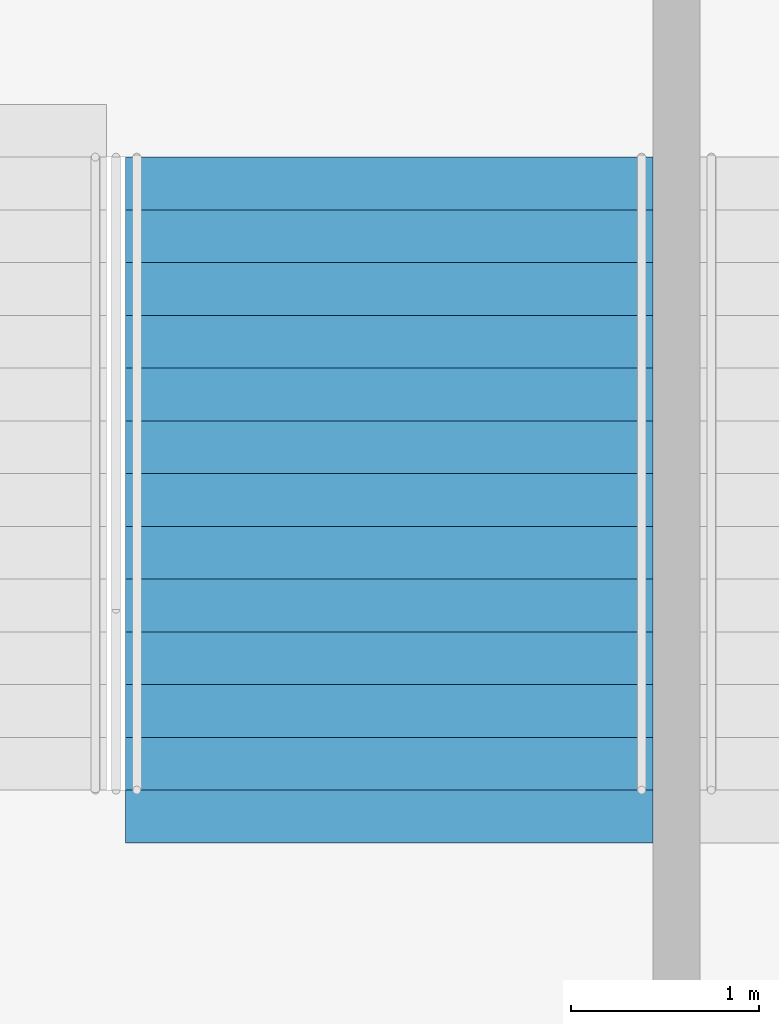
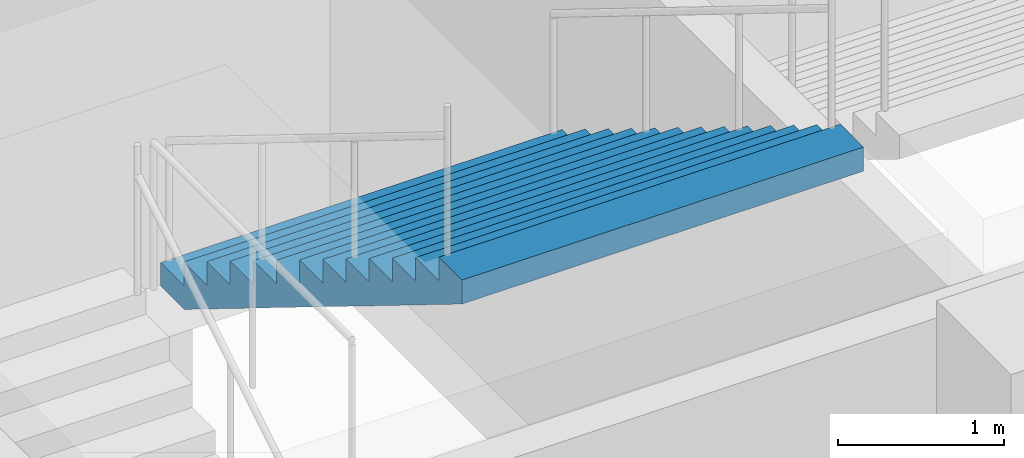
# One storey, part 129 of 175: 1 stair flight, 1 element without a shape of its own.
"""IFC4 building model written with IfcOpenShell, lengths in metres."""

from ifc_helpers import new_model, si_unit, direction, frame, origin, place, context, subcontext, project, spatial, faceted_brep, material, type_object, element, aggregate, save


model = new_model("IFC4")

# Units and contexts
model_context = context("Model", 3, precision=1e-05, world=origin(), true_north=direction((0.0, 1.0)))
body_context = subcontext(model_context, "Body", "Model", "MODEL_VIEW")
ifc_project = project(units=[si_unit("LENGTHUNIT", "METRE"), si_unit("AREAUNIT", "SQUARE_METRE"), si_unit("VOLUMEUNIT", "CUBIC_METRE"), si_unit("PLANEANGLEUNIT", "RADIAN"), si_unit("MASSUNIT", "GRAM", prefix="KILO")], contexts=[model_context])

# Site, building, storey
site_placement = place(None, origin())
site = spatial("IfcSite", under=ifc_project, at=site_placement, CompositionType="ELEMENT")
building_placement = place(site_placement, origin())
building = spatial("IfcBuilding", under=site, at=building_placement, Name="Ogive Plaza Stadium", CompositionType="ELEMENT")
storey_placement = place(building_placement, origin())
storey = spatial("IfcBuildingStorey", under=building, at=storey_placement, Name="L00", CompositionType="ELEMENT", Elevation=0.0)

# Stair, stair flight
ifc_material_1 = material(Name="Concrete C40/50", Category="concrete")
stair_type = type_object("IfcStairType", Name="Exit stair", PredefinedType="STRAIGHT_RUN_STAIR", material=ifc_material_1)
stair_placement = place(storey_placement, origin())
stair = element("IfcStair", 1, at=stair_placement, inside=storey, type_object=stair_type, Name="Exit stair ST32B L00 to L01", PredefinedType="STRAIGHT_RUN_STAIR")
ifc_material_2 = material(Name="Concrete C40/50", Category="concrete")
stair_flight_type = type_object("IfcStairFlightType", Name="Exit stair flight", PredefinedType="STRAIGHT", material=ifc_material_2)
stair_flight_placement = place(storey_placement, frame((-35.52490234375, 98.2099609375, 2.25), z_axis=(0.0, 0.0, 1.0), x_axis=(0.0, -1.0, 0.0)))
stair_flight = element("IfcStairFlight", 2, at=stair_flight_placement, type_object=stair_flight_type, Name="ST32B flight 2", NumberOfRisers=13, NumberOfTreads=12, PredefinedType="STRAIGHT", RiserHeight=0.173076923, TreadLength=0.28, context=body_context, shape_type="Brep", body=[
    faceted_brep([(0.28515625, -1.39990234375, 0.0), (3.639892578125, -1.39990234375, 2.07373046875), (3.639892578125, -1.39990234375, 2.25), (3.360107421875, -1.39990234375, 2.25), (3.360107421875, -1.39990234375, 2.076904296875), (3.080078125, -1.39990234375, 2.076904296875), (3.080078125, -1.39990234375, 1.90380859375), (2.800048828125, -1.39990234375, 1.90380859375), (2.800048828125, -1.39990234375, 1.730712890625), (2.52001953125, -1.39990234375, 1.730712890625), (2.52001953125, -1.39990234375, 1.5576171875), (2.239990234375, -1.39990234375, 1.5576171875), (2.239990234375, -1.39990234375, 1.384521484375), (1.9599609375, -1.39990234375, 1.384521484375), (1.9599609375, -1.39990234375, 1.21142578125), (1.679931640625, -1.39990234375, 1.21142578125), (1.679931640625, -1.39990234375, 1.03857421875), (1.39990234375, -1.39990234375, 1.03857421875), (1.39990234375, -1.39990234375, 0.865478515625), (1.1201171875, -1.39990234375, 0.865478515625), (1.1201171875, -1.39990234375, 0.6923828125), (0.840087890625, -1.39990234375, 0.6923828125), (0.840087890625, -1.39990234375, 0.519287109375), (0.56005859375, -1.39990234375, 0.519287109375), (0.56005859375, -1.39990234375, 0.34619140625), (0.280029296875, -1.39990234375, 0.34619140625), (0.280029296875, -1.39990234375, 0.173095703125), (0.0, -1.39990234375, 0.173095703125), (0.0, -1.39990234375, 0.0), (0.0, 1.39990234375, 0.0), (0.0, 1.39990234375, 0.173095703125), (0.280029296875, 1.39990234375, 0.173095703125), (0.280029296875, 1.39990234375, 0.34619140625), (0.56005859375, 1.39990234375, 0.34619140625), (0.56005859375, 1.39990234375, 0.519287109375), (0.840087890625, 1.39990234375, 0.519287109375), (0.840087890625, 1.39990234375, 0.6923828125), (1.1201171875, 1.39990234375, 0.6923828125), (1.1201171875, 1.39990234375, 0.865478515625), (1.39990234375, 1.39990234375, 0.865478515625), (1.39990234375, 1.39990234375, 1.03857421875), (1.679931640625, 1.39990234375, 1.03857421875), (1.679931640625, 1.39990234375, 1.21142578125), (1.9599609375, 1.39990234375, 1.21142578125), (1.9599609375, 1.39990234375, 1.384521484375), (2.239990234375, 1.39990234375, 1.384521484375), (2.239990234375, 1.39990234375, 1.5576171875), (2.52001953125, 1.39990234375, 1.5576171875), (2.52001953125, 1.39990234375, 1.730712890625), (2.800048828125, 1.39990234375, 1.730712890625), (2.800048828125, 1.39990234375, 1.90380859375), (3.080078125, 1.39990234375, 1.90380859375), (3.080078125, 1.39990234375, 2.076904296875), (3.360107421875, 1.39990234375, 2.076904296875), (3.360107421875, 1.39990234375, 2.25), (3.639892578125, 1.39990234375, 2.25), (3.639892578125, 1.39990234375, 2.07373046875), (0.28515625, 1.39990234375, 0.0), (0.28515625, -1.0888671875, 0.0), (3.639892578125, -1.0888671875, 2.07373046875), (0.28515625, -0.77783203125, 0.0), (3.639892578125, -0.77783203125, 2.07373046875), (0.28515625, -0.466796875, 0.0), (3.639892578125, -0.466796875, 2.07373046875), (0.28515625, -0.155517578125, 0.0), (3.639892578125, -0.155517578125, 2.07373046875), (0.28515625, 0.155517578125, 0.0), (3.639892578125, 0.155517578125, 2.07373046875), (0.28515625, 0.466796875, 0.0), (3.639892578125, 0.466796875, 2.07373046875), (0.28515625, 0.77783203125, 0.0), (3.639892578125, 0.77783203125, 2.07373046875), (0.28515625, 1.0888671875, 0.0), (3.639892578125, 1.0888671875, 2.07373046875), (3.639892578125, -1.0888671875, 2.25), (3.639892578125, -0.77783203125, 2.25), (3.639892578125, -0.466796875, 2.25), (3.639892578125, -0.155517578125, 2.25), (3.639892578125, 0.155517578125, 2.25), (3.639892578125, 0.466796875, 2.25), (3.639892578125, 0.77783203125, 2.25), (3.639892578125, 1.0888671875, 2.25), (3.360107421875, -1.0888671875, 2.25), (3.360107421875, -0.77783203125, 2.25), (3.360107421875, -0.466796875, 2.25), (3.360107421875, -0.155517578125, 2.25), (3.360107421875, 0.155517578125, 2.25), (3.360107421875, 0.466796875, 2.25), (3.360107421875, 0.77783203125, 2.25), (3.360107421875, 1.0888671875, 2.25), (3.360107421875, -1.0888671875, 2.076904296875), (3.360107421875, -0.77783203125, 2.076904296875), (3.360107421875, -0.466796875, 2.076904296875), (3.360107421875, -0.155517578125, 2.076904296875), (3.360107421875, 0.155517578125, 2.076904296875), (3.360107421875, 0.466796875, 2.076904296875), (3.360107421875, 0.77783203125, 2.076904296875), (3.360107421875, 1.0888671875, 2.076904296875), (3.080078125, -1.0888671875, 2.076904296875), (3.080078125, -0.77783203125, 2.076904296875), (3.080078125, -0.466796875, 2.076904296875), (3.080078125, -0.155517578125, 2.076904296875), (3.080078125, 0.155517578125, 2.076904296875), (3.080078125, 0.466796875, 2.076904296875), (3.080078125, 0.77783203125, 2.076904296875), (3.080078125, 1.0888671875, 2.076904296875), (3.080078125, -1.0888671875, 1.90380859375), (3.080078125, -0.77783203125, 1.90380859375), (3.080078125, -0.466796875, 1.90380859375), (3.080078125, -0.155517578125, 1.90380859375), (3.080078125, 0.155517578125, 1.90380859375), (3.080078125, 0.466796875, 1.90380859375), (3.080078125, 0.77783203125, 1.90380859375), (3.080078125, 1.0888671875, 1.90380859375), (2.800048828125, -1.0888671875, 1.90380859375), (2.800048828125, -0.77783203125, 1.90380859375), (2.800048828125, -0.466796875, 1.90380859375), (2.800048828125, -0.155517578125, 1.90380859375), (2.800048828125, 0.155517578125, 1.90380859375), (2.800048828125, 0.466796875, 1.90380859375), (2.800048828125, 0.77783203125, 1.90380859375), (2.800048828125, 1.0888671875, 1.90380859375), (2.800048828125, -1.0888671875, 1.730712890625), (2.800048828125, -0.77783203125, 1.730712890625), (2.800048828125, -0.466796875, 1.730712890625), (2.800048828125, -0.155517578125, 1.730712890625), (2.800048828125, 0.155517578125, 1.730712890625), (2.800048828125, 0.466796875, 1.730712890625), (2.800048828125, 0.77783203125, 1.730712890625), (2.800048828125, 1.0888671875, 1.730712890625), (2.52001953125, -1.0888671875, 1.730712890625), (2.52001953125, -0.77783203125, 1.730712890625), (2.52001953125, -0.466796875, 1.730712890625), (2.52001953125, -0.155517578125, 1.730712890625), (2.52001953125, 0.155517578125, 1.730712890625), (2.52001953125, 0.466796875, 1.730712890625), (2.52001953125, 0.77783203125, 1.730712890625), (2.52001953125, 1.0888671875, 1.730712890625), (2.52001953125, -1.0888671875, 1.5576171875), (2.52001953125, -0.77783203125, 1.5576171875), (2.52001953125, -0.466796875, 1.5576171875), (2.52001953125, -0.155517578125, 1.5576171875), (2.52001953125, 0.155517578125, 1.5576171875), (2.52001953125, 0.466796875, 1.5576171875), (2.52001953125, 0.77783203125, 1.5576171875), (2.52001953125, 1.0888671875, 1.5576171875), (2.239990234375, -1.0888671875, 1.5576171875), (2.239990234375, -0.77783203125, 1.5576171875), (2.239990234375, -0.466796875, 1.5576171875), (2.239990234375, -0.155517578125, 1.5576171875), (2.239990234375, 0.155517578125, 1.5576171875), (2.239990234375, 0.466796875, 1.5576171875), (2.239990234375, 0.77783203125, 1.5576171875), (2.239990234375, 1.0888671875, 1.5576171875), (2.239990234375, -1.0888671875, 1.384521484375), (2.239990234375, -0.77783203125, 1.384521484375), (2.239990234375, -0.466796875, 1.384521484375), (2.239990234375, -0.155517578125, 1.384521484375), (2.239990234375, 0.155517578125, 1.384521484375), (2.239990234375, 0.466796875, 1.384521484375), (2.239990234375, 0.77783203125, 1.384521484375), (2.239990234375, 1.0888671875, 1.384521484375), (1.9599609375, -1.0888671875, 1.384521484375), (1.9599609375, -0.77783203125, 1.384521484375), (1.9599609375, -0.466796875, 1.384521484375), (1.9599609375, -0.155517578125, 1.384521484375), (1.9599609375, 0.155517578125, 1.384521484375), (1.9599609375, 0.466796875, 1.384521484375), (1.9599609375, 0.77783203125, 1.384521484375), (1.9599609375, 1.0888671875, 1.384521484375), (1.9599609375, -1.0888671875, 1.21142578125), (1.9599609375, -0.77783203125, 1.21142578125), (1.9599609375, -0.466796875, 1.21142578125), (1.9599609375, -0.155517578125, 1.21142578125), (1.9599609375, 0.155517578125, 1.21142578125), (1.9599609375, 0.466796875, 1.21142578125), (1.9599609375, 0.77783203125, 1.21142578125), (1.9599609375, 1.0888671875, 1.21142578125), (1.679931640625, -1.0888671875, 1.21142578125), (1.679931640625, -0.77783203125, 1.21142578125), (1.679931640625, -0.466796875, 1.21142578125), (1.679931640625, -0.155517578125, 1.21142578125), (1.679931640625, 0.155517578125, 1.21142578125), (1.679931640625, 0.466796875, 1.21142578125), (1.679931640625, 0.77783203125, 1.21142578125), (1.679931640625, 1.0888671875, 1.21142578125), (1.679931640625, -1.0888671875, 1.03857421875), (1.679931640625, -0.77783203125, 1.03857421875), (1.679931640625, -0.466796875, 1.03857421875), (1.679931640625, -0.155517578125, 1.03857421875), (1.679931640625, 0.155517578125, 1.03857421875), (1.679931640625, 0.466796875, 1.03857421875), (1.679931640625, 0.77783203125, 1.03857421875), (1.679931640625, 1.0888671875, 1.03857421875), (1.39990234375, -1.0888671875, 1.03857421875), (1.39990234375, -0.77783203125, 1.03857421875), (1.39990234375, -0.466796875, 1.03857421875), (1.39990234375, -0.155517578125, 1.03857421875), (1.39990234375, 0.155517578125, 1.03857421875), (1.39990234375, 0.466796875, 1.03857421875), (1.39990234375, 0.77783203125, 1.03857421875), (1.39990234375, 1.0888671875, 1.03857421875), (1.39990234375, -1.0888671875, 0.865478515625), (1.39990234375, -0.77783203125, 0.865478515625), (1.39990234375, -0.466796875, 0.865478515625), (1.39990234375, -0.155517578125, 0.865478515625), (1.39990234375, 0.155517578125, 0.865478515625), (1.39990234375, 0.466796875, 0.865478515625), (1.39990234375, 0.77783203125, 0.865478515625), (1.39990234375, 1.0888671875, 0.865478515625), (1.1201171875, -1.0888671875, 0.865478515625), (1.1201171875, -0.77783203125, 0.865478515625), (1.1201171875, -0.466796875, 0.865478515625), (1.1201171875, -0.155517578125, 0.865478515625), (1.1201171875, 0.155517578125, 0.865478515625), (1.1201171875, 0.466796875, 0.865478515625), (1.1201171875, 0.77783203125, 0.865478515625), (1.1201171875, 1.0888671875, 0.865478515625), (1.1201171875, -1.0888671875, 0.6923828125), (1.1201171875, -0.77783203125, 0.6923828125), (1.1201171875, -0.466796875, 0.6923828125), (1.1201171875, -0.155517578125, 0.6923828125), (1.1201171875, 0.155517578125, 0.6923828125), (1.1201171875, 0.466796875, 0.6923828125), (1.1201171875, 0.77783203125, 0.6923828125), (1.1201171875, 1.0888671875, 0.6923828125), (0.840087890625, -1.0888671875, 0.6923828125), (0.840087890625, -0.77783203125, 0.6923828125), (0.840087890625, -0.466796875, 0.6923828125), (0.840087890625, -0.155517578125, 0.6923828125), (0.840087890625, 0.155517578125, 0.6923828125), (0.840087890625, 0.466796875, 0.6923828125), (0.840087890625, 0.77783203125, 0.6923828125), (0.840087890625, 1.0888671875, 0.6923828125), (0.840087890625, -1.0888671875, 0.519287109375), (0.840087890625, -0.77783203125, 0.519287109375), (0.840087890625, -0.466796875, 0.519287109375), (0.840087890625, -0.155517578125, 0.519287109375), (0.840087890625, 0.155517578125, 0.519287109375), (0.840087890625, 0.466796875, 0.519287109375), (0.840087890625, 0.77783203125, 0.519287109375), (0.840087890625, 1.0888671875, 0.519287109375), (0.56005859375, -1.0888671875, 0.519287109375), (0.56005859375, -0.77783203125, 0.519287109375), (0.56005859375, -0.466796875, 0.519287109375), (0.56005859375, -0.155517578125, 0.519287109375), (0.56005859375, 0.155517578125, 0.519287109375), (0.56005859375, 0.466796875, 0.519287109375), (0.56005859375, 0.77783203125, 0.519287109375), (0.56005859375, 1.0888671875, 0.519287109375), (0.56005859375, -1.0888671875, 0.34619140625), (0.56005859375, -0.77783203125, 0.34619140625), (0.56005859375, -0.466796875, 0.34619140625), (0.56005859375, -0.155517578125, 0.34619140625), (0.56005859375, 0.155517578125, 0.34619140625), (0.56005859375, 0.466796875, 0.34619140625), (0.56005859375, 0.77783203125, 0.34619140625), (0.56005859375, 1.0888671875, 0.34619140625), (0.280029296875, -1.0888671875, 0.34619140625), (0.280029296875, -0.77783203125, 0.34619140625), (0.280029296875, -0.466796875, 0.34619140625), (0.280029296875, -0.155517578125, 0.34619140625), (0.280029296875, 0.155517578125, 0.34619140625), (0.280029296875, 0.466796875, 0.34619140625), (0.280029296875, 0.77783203125, 0.34619140625), (0.280029296875, 1.0888671875, 0.34619140625), (0.280029296875, -1.0888671875, 0.173095703125), (0.280029296875, -0.77783203125, 0.173095703125), (0.280029296875, -0.466796875, 0.173095703125), (0.280029296875, -0.155517578125, 0.173095703125), (0.280029296875, 0.155517578125, 0.173095703125), (0.280029296875, 0.466796875, 0.173095703125), (0.280029296875, 0.77783203125, 0.173095703125), (0.280029296875, 1.0888671875, 0.173095703125), (0.0, -1.0888671875, 0.173095703125), (0.0, -0.77783203125, 0.173095703125), (0.0, -0.466796875, 0.173095703125), (0.0, -0.155517578125, 0.173095703125), (0.0, 0.155517578125, 0.173095703125), (0.0, 0.466796875, 0.173095703125), (0.0, 0.77783203125, 0.173095703125), (0.0, 1.0888671875, 0.173095703125), (0.0, -1.0888671875, 0.0), (0.0, -0.77783203125, 0.0), (0.0, -0.466796875, 0.0), (0.0, -0.155517578125, 0.0), (0.0, 0.155517578125, 0.0), (0.0, 0.466796875, 0.0), (0.0, 0.77783203125, 0.0), (0.0, 1.0888671875, 0.0)], [[[0, 1, 2, 3, 4, 5, 6, 7, 8, 9, 10, 11, 12, 13, 14, 15, 16, 17, 18, 19, 20, 21, 22, 23, 24, 25, 26, 27, 28]], [[29, 30, 31, 32, 33, 34, 35, 36, 37, 38, 39, 40, 41, 42, 43, 44, 45, 46, 47, 48, 49, 50, 51, 52, 53, 54, 55, 56, 57]], [[0, 58, 59, 1]], [[58, 60, 61, 59]], [[60, 62, 63, 61]], [[62, 64, 65, 63]], [[64, 66, 67, 65]], [[66, 68, 69, 67]], [[68, 70, 71, 69]], [[70, 72, 73, 71]], [[72, 57, 56, 73]], [[1, 59, 74, 2]], [[59, 61, 75, 74]], [[61, 63, 76, 75]], [[63, 65, 77, 76]], [[65, 67, 78, 77]], [[67, 69, 79, 78]], [[69, 71, 80, 79]], [[71, 73, 81, 80]], [[73, 56, 55, 81]], [[2, 74, 82, 3]], [[74, 75, 83, 82]], [[75, 76, 84, 83]], [[76, 77, 85, 84]], [[77, 78, 86, 85]], [[78, 79, 87, 86]], [[79, 80, 88, 87]], [[80, 81, 89, 88]], [[81, 55, 54, 89]], [[3, 82, 90, 4]], [[82, 83, 91, 90]], [[83, 84, 92, 91]], [[84, 85, 93, 92]], [[85, 86, 94, 93]], [[86, 87, 95, 94]], [[87, 88, 96, 95]], [[88, 89, 97, 96]], [[89, 54, 53, 97]], [[4, 90, 98, 5]], [[90, 91, 99, 98]], [[91, 92, 100, 99]], [[92, 93, 101, 100]], [[93, 94, 102, 101]], [[94, 95, 103, 102]], [[95, 96, 104, 103]], [[96, 97, 105, 104]], [[97, 53, 52, 105]], [[5, 98, 106, 6]], [[98, 99, 107, 106]], [[99, 100, 108, 107]], [[100, 101, 109, 108]], [[101, 102, 110, 109]], [[102, 103, 111, 110]], [[103, 104, 112, 111]], [[104, 105, 113, 112]], [[105, 52, 51, 113]], [[6, 106, 114, 7]], [[106, 107, 115, 114]], [[107, 108, 116, 115]], [[108, 109, 117, 116]], [[109, 110, 118, 117]], [[110, 111, 119, 118]], [[111, 112, 120, 119]], [[112, 113, 121, 120]], [[113, 51, 50, 121]], [[7, 114, 122, 8]], [[114, 115, 123, 122]], [[115, 116, 124, 123]], [[116, 117, 125, 124]], [[117, 118, 126, 125]], [[118, 119, 127, 126]], [[119, 120, 128, 127]], [[120, 121, 129, 128]], [[121, 50, 49, 129]], [[8, 122, 130, 9]], [[122, 123, 131, 130]], [[123, 124, 132, 131]], [[124, 125, 133, 132]], [[125, 126, 134, 133]], [[126, 127, 135, 134]], [[127, 128, 136, 135]], [[128, 129, 137, 136]], [[129, 49, 48, 137]], [[9, 130, 138, 10]], [[130, 131, 139, 138]], [[131, 132, 140, 139]], [[132, 133, 141, 140]], [[133, 134, 142, 141]], [[134, 135, 143, 142]], [[135, 136, 144, 143]], [[136, 137, 145, 144]], [[137, 48, 47, 145]], [[10, 138, 146, 11]], [[138, 139, 147, 146]], [[139, 140, 148, 147]], [[140, 141, 149, 148]], [[141, 142, 150, 149]], [[142, 143, 151, 150]], [[143, 144, 152, 151]], [[144, 145, 153, 152]], [[145, 47, 46, 153]], [[11, 146, 154, 12]], [[146, 147, 155, 154]], [[147, 148, 156, 155]], [[148, 149, 157, 156]], [[149, 150, 158, 157]], [[150, 151, 159, 158]], [[151, 152, 160, 159]], [[152, 153, 161, 160]], [[153, 46, 45, 161]], [[12, 154, 162, 13]], [[154, 155, 163, 162]], [[155, 156, 164, 163]], [[156, 157, 165, 164]], [[157, 158, 166, 165]], [[158, 159, 167, 166]], [[159, 160, 168, 167]], [[160, 161, 169, 168]], [[161, 45, 44, 169]], [[13, 162, 170, 14]], [[162, 163, 171, 170]], [[163, 164, 172, 171]], [[164, 165, 173, 172]], [[165, 166, 174, 173]], [[166, 167, 175, 174]], [[167, 168, 176, 175]], [[168, 169, 177, 176]], [[169, 44, 43, 177]], [[14, 170, 178, 15]], [[170, 171, 179, 178]], [[171, 172, 180, 179]], [[172, 173, 181, 180]], [[173, 174, 182, 181]], [[174, 175, 183, 182]], [[175, 176, 184, 183]], [[176, 177, 185, 184]], [[177, 43, 42, 185]], [[15, 178, 186, 16]], [[178, 179, 187, 186]], [[179, 180, 188, 187]], [[180, 181, 189, 188]], [[181, 182, 190, 189]], [[182, 183, 191, 190]], [[183, 184, 192, 191]], [[184, 185, 193, 192]], [[185, 42, 41, 193]], [[16, 186, 194, 17]], [[186, 187, 195, 194]], [[187, 188, 196, 195]], [[188, 189, 197, 196]], [[189, 190, 198, 197]], [[190, 191, 199, 198]], [[191, 192, 200, 199]], [[192, 193, 201, 200]], [[193, 41, 40, 201]], [[17, 194, 202, 18]], [[194, 195, 203, 202]], [[195, 196, 204, 203]], [[196, 197, 205, 204]], [[197, 198, 206, 205]], [[198, 199, 207, 206]], [[199, 200, 208, 207]], [[200, 201, 209, 208]], [[201, 40, 39, 209]], [[18, 202, 210, 19]], [[202, 203, 211, 210]], [[203, 204, 212, 211]], [[204, 205, 213, 212]], [[205, 206, 214, 213]], [[206, 207, 215, 214]], [[207, 208, 216, 215]], [[208, 209, 217, 216]], [[209, 39, 38, 217]], [[19, 210, 218, 20]], [[210, 211, 219, 218]], [[211, 212, 220, 219]], [[212, 213, 221, 220]], [[213, 214, 222, 221]], [[214, 215, 223, 222]], [[215, 216, 224, 223]], [[216, 217, 225, 224]], [[217, 38, 37, 225]], [[20, 218, 226, 21]], [[218, 219, 227, 226]], [[219, 220, 228, 227]], [[220, 221, 229, 228]], [[221, 222, 230, 229]], [[222, 223, 231, 230]], [[223, 224, 232, 231]], [[224, 225, 233, 232]], [[225, 37, 36, 233]], [[21, 226, 234, 22]], [[226, 227, 235, 234]], [[227, 228, 236, 235]], [[228, 229, 237, 236]], [[229, 230, 238, 237]], [[230, 231, 239, 238]], [[231, 232, 240, 239]], [[232, 233, 241, 240]], [[233, 36, 35, 241]], [[22, 234, 242, 23]], [[234, 235, 243, 242]], [[235, 236, 244, 243]], [[236, 237, 245, 244]], [[237, 238, 246, 245]], [[238, 239, 247, 246]], [[239, 240, 248, 247]], [[240, 241, 249, 248]], [[241, 35, 34, 249]], [[23, 242, 250, 24]], [[242, 243, 251, 250]], [[243, 244, 252, 251]], [[244, 245, 253, 252]], [[245, 246, 254, 253]], [[246, 247, 255, 254]], [[247, 248, 256, 255]], [[248, 249, 257, 256]], [[249, 34, 33, 257]], [[24, 250, 258, 25]], [[250, 251, 259, 258]], [[251, 252, 260, 259]], [[252, 253, 261, 260]], [[253, 254, 262, 261]], [[254, 255, 263, 262]], [[255, 256, 264, 263]], [[256, 257, 265, 264]], [[257, 33, 32, 265]], [[25, 258, 266, 26]], [[258, 259, 267, 266]], [[259, 260, 268, 267]], [[260, 261, 269, 268]], [[261, 262, 270, 269]], [[262, 263, 271, 270]], [[263, 264, 272, 271]], [[264, 265, 273, 272]], [[265, 32, 31, 273]], [[26, 266, 274, 27]], [[266, 267, 275, 274]], [[267, 268, 276, 275]], [[268, 269, 277, 276]], [[269, 270, 278, 277]], [[270, 271, 279, 278]], [[271, 272, 280, 279]], [[272, 273, 281, 280]], [[273, 31, 30, 281]], [[27, 274, 282, 28]], [[274, 275, 283, 282]], [[275, 276, 284, 283]], [[276, 277, 285, 284]], [[277, 278, 286, 285]], [[278, 279, 287, 286]], [[279, 280, 288, 287]], [[280, 281, 289, 288]], [[281, 30, 29, 289]], [[28, 282, 58, 0]], [[282, 283, 60, 58]], [[283, 284, 62, 60]], [[284, 285, 64, 62]], [[285, 286, 66, 64]], [[286, 287, 68, 66]], [[287, 288, 70, 68]], [[288, 289, 72, 70]], [[289, 29, 57, 72]]]),
])
aggregate(stair, [stair_flight])

save(model, "model.ifc")
